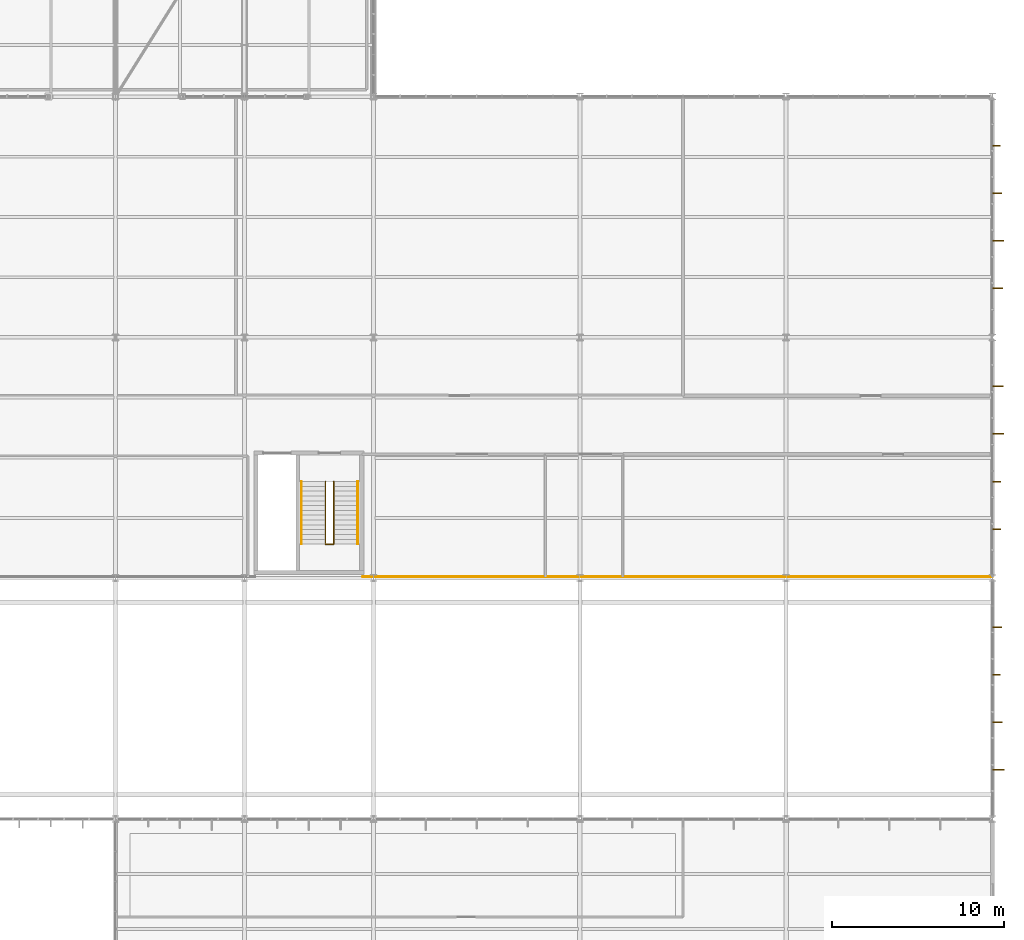
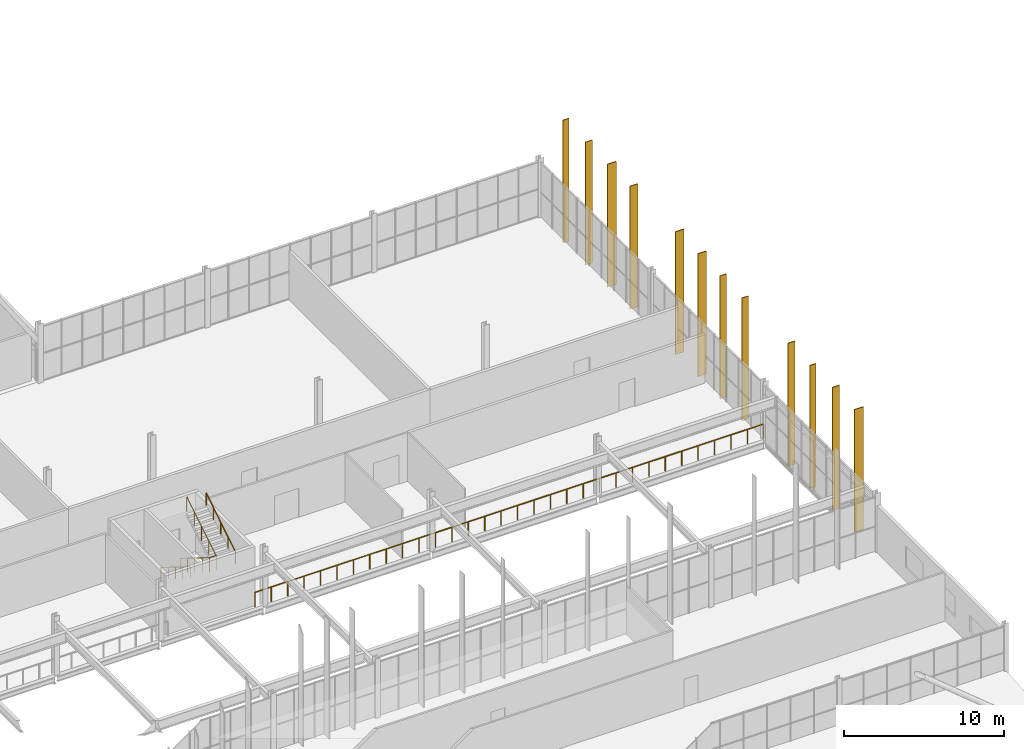
# One storey, part 323 of 324: 12 coverings, 4 railings.
"""IFC4 building model written with IfcOpenShell, lengths in metres."""

from ifc_helpers import new_model, si_unit, direction, frame, origin, origin_2d, place, context, subcontext, project, spatial, rectangle, circle, extrude, material, layer, layer_set, type_object, element, save


model = new_model("IFC4")

# Units and contexts
model_context = context("Model", 3, precision=1e-05, world=origin(), true_north=direction((0.0, 1.0)))
body_context = subcontext(model_context, "Body", "Model", "MODEL_VIEW")
ifc_project = project(units=[si_unit("LENGTHUNIT", "METRE"), si_unit("AREAUNIT", "SQUARE_METRE"), si_unit("VOLUMEUNIT", "CUBIC_METRE"), si_unit("PLANEANGLEUNIT", "RADIAN"), si_unit("MASSUNIT", "GRAM", prefix="KILO")], contexts=[model_context])

# Site, building, storey
site_placement = place(None, origin())
site = spatial("IfcSite", under=ifc_project, at=site_placement, CompositionType="ELEMENT")
building_placement = place(site_placement, origin())
building = spatial("IfcBuilding", under=site, at=building_placement, Name="Solvenia Promenade Tram Depot", CompositionType="ELEMENT")
storey_placement = place(building_placement, frame((0.0, 0.0, 4.5)))
storey = spatial("IfcBuildingStorey", under=building, at=storey_placement, Name="L01", CompositionType="ELEMENT", Elevation=4.5)

# Coverings
ifc_material = material(Name="Anodized aluminium AW-6063 T6", Category="aluminium")
ifc_layer = layer(ifc_material, 0.06005859375, Name="Anodized aluminium AW-6063 T6", Category="aluminium")
ifc_layer_set = layer_set([ifc_layer], Name="Anodized aluminium AW-6063 T6")
covering_type = type_object("IfcCoveringType", Name="Fin-Param-560", PredefinedType="CLADDING", material=ifc_layer_set)
covering_1_placement = place(storey_placement, frame((186.344970703125, 26.847900390625, -0.35009765625), z_axis=(0.0, 0.0, 1.0), x_axis=(0.0, 1.0, 0.0)))
element("IfcCovering", 1, at=covering_1_placement, inside=storey, type_object=covering_type, Name="Parametric Vertical Brise-Soleil Fin 209", PredefinedType="CLADDING", context=body_context, shape_type="SweptSolid", body=[
    extrude(rectangle(XDim=0.06005859375, YDim=0.639892578125, at=origin_2d()), origin(), (0.0, 0.0, 1.0), 9.35009765625),
])
covering_2_placement = place(storey_placement, frame((186.29150390625, 29.615966796875, -0.35009765625), z_axis=(0.0, 0.0, 1.0), x_axis=(0.0, 1.0, 0.0)))
element("IfcCovering", 2, at=covering_2_placement, inside=storey, type_object=covering_type, Name="Parametric Vertical Brise-Soleil Fin 210", PredefinedType="CLADDING", context=body_context, shape_type="SweptSolid", body=[
    extrude(rectangle(XDim=0.06005859375, YDim=0.532958984375, at=origin_2d()), origin(), (0.0, 0.0, 1.0), 9.35009765625),
])
covering_3_placement = place(storey_placement, frame((186.235595703125, 32.384033203125, -0.35009765625), z_axis=(0.0, 0.0, 1.0), x_axis=(0.0, 1.0, 0.0)))
element("IfcCovering", 3, at=covering_3_placement, inside=storey, type_object=covering_type, Name="Parametric Vertical Brise-Soleil Fin 211", PredefinedType="CLADDING", context=body_context, shape_type="SweptSolid", body=[
    extrude(rectangle(XDim=0.06005859375, YDim=0.4208984375, at=origin_2d()), origin(), (0.0, 0.0, 1.0), 9.35009765625),
])
covering_4_placement = place(storey_placement, frame((186.280517578125, 35.152099609375, -0.35009765625), z_axis=(0.0, 0.0, 1.0), x_axis=(0.0, 1.0, 0.0)))
element("IfcCovering", 4, at=covering_4_placement, inside=storey, type_object=covering_type, Name="Parametric Vertical Brise-Soleil Fin 212", PredefinedType="CLADDING", context=body_context, shape_type="SweptSolid", body=[
    extrude(rectangle(XDim=0.06005859375, YDim=0.510986328125, at=origin_2d()), origin(), (0.0, 0.0, 1.0), 9.35009765625),
])
covering_5_placement = place(storey_placement, frame((186.243896484375, 40.847900390625, -0.35009765625), z_axis=(0.0, 0.0, 1.0), x_axis=(0.0, 1.0, 0.0)))
element("IfcCovering", 5, at=covering_5_placement, inside=storey, type_object=covering_type, Name="Parametric Vertical Brise-Soleil Fin 213", PredefinedType="CLADDING", context=body_context, shape_type="SweptSolid", body=[
    extrude(rectangle(XDim=0.06005859375, YDim=0.43798828125, at=origin_2d()), origin(), (0.0, 0.0, 1.0), 9.35009765625),
])
covering_6_placement = place(storey_placement, frame((186.256591796875, 43.615966796875, -0.35009765625), z_axis=(0.0, 0.0, 1.0), x_axis=(0.0, 1.0, 0.0)))
element("IfcCovering", 6, at=covering_6_placement, inside=storey, type_object=covering_type, Name="Parametric Vertical Brise-Soleil Fin 214", PredefinedType="CLADDING", context=body_context, shape_type="SweptSolid", body=[
    extrude(rectangle(XDim=0.06005859375, YDim=0.462890625, at=origin_2d()), origin(), (0.0, 0.0, 1.0), 9.35009765625),
])
covering_7_placement = place(storey_placement, frame((186.3310546875, 46.384033203125, -0.35009765625), z_axis=(0.0, 0.0, 1.0), x_axis=(0.0, 1.0, 0.0)))
element("IfcCovering", 7, at=covering_7_placement, inside=storey, type_object=covering_type, Name="Parametric Vertical Brise-Soleil Fin 215", PredefinedType="CLADDING", context=body_context, shape_type="SweptSolid", body=[
    extrude(rectangle(XDim=0.06005859375, YDim=0.612060546875, at=origin_2d()), origin(), (0.0, 0.0, 1.0), 9.35009765625),
])
covering_8_placement = place(storey_placement, frame((186.32958984375, 49.152099609375, -0.35009765625), z_axis=(0.0, 0.0, 1.0), x_axis=(0.0, 1.0, 0.0)))
element("IfcCovering", 8, at=covering_8_placement, inside=storey, type_object=covering_type, Name="Parametric Vertical Brise-Soleil Fin 216", PredefinedType="CLADDING", context=body_context, shape_type="SweptSolid", body=[
    extrude(rectangle(XDim=0.06005859375, YDim=0.60888671875, at=origin_2d()), origin(), (0.0, 0.0, 1.0), 9.35009765625),
])
covering_9_placement = place(storey_placement, frame((186.31005859375, 54.847900390625, -0.35009765625), z_axis=(0.0, 0.0, 1.0), x_axis=(0.0, 1.0, 0.0)))
element("IfcCovering", 9, at=covering_9_placement, inside=storey, type_object=covering_type, Name="Parametric Vertical Brise-Soleil Fin 217", PredefinedType="CLADDING", context=body_context, shape_type="SweptSolid", body=[
    extrude(rectangle(XDim=0.06005859375, YDim=0.570068359375, at=origin_2d()), origin(), (0.0, 0.0, 1.0), 9.35009765625),
])
covering_10_placement = place(storey_placement, frame((186.342529296875, 57.615966796875, -0.35009765625), z_axis=(0.0, 0.0, 1.0), x_axis=(0.0, 1.0, 0.0)))
element("IfcCovering", 10, at=covering_10_placement, inside=storey, type_object=covering_type, Name="Parametric Vertical Brise-Soleil Fin 218", PredefinedType="CLADDING", context=body_context, shape_type="SweptSolid", body=[
    extrude(rectangle(XDim=0.06005859375, YDim=0.635009765625, at=origin_2d()), origin(), (0.0, 0.0, 1.0), 9.35009765625),
])
covering_11_placement = place(storey_placement, frame((186.277587890625, 60.384033203125, -0.35009765625), z_axis=(0.0, 0.0, 1.0), x_axis=(0.0, 1.0, 0.0)))
element("IfcCovering", 11, at=covering_11_placement, inside=storey, type_object=covering_type, Name="Parametric Vertical Brise-Soleil Fin 219", PredefinedType="CLADDING", context=body_context, shape_type="SweptSolid", body=[
    extrude(rectangle(XDim=0.06005859375, YDim=0.5048828125, at=origin_2d()), origin(), (0.0, 0.0, 1.0), 9.35009765625),
])
covering_12_placement = place(storey_placement, frame((186.235595703125, 63.152099609375, -0.35009765625), z_axis=(0.0, 0.0, 1.0), x_axis=(0.0, 1.0, 0.0)))
element("IfcCovering", 12, at=covering_12_placement, inside=storey, type_object=covering_type, Name="Parametric Vertical Brise-Soleil Fin 220", PredefinedType="CLADDING", context=body_context, shape_type="SweptSolid", body=[
    extrude(rectangle(XDim=0.06005859375, YDim=0.4208984375, at=origin_2d()), origin(), (0.0, 0.0, 1.0), 9.35009765625),
])

# Railings
railing_type_1 = type_object("IfcRailingType", Name="Guard-Stair-1100", PredefinedType="GUARDRAIL", material=ifc_material)
railing_1_placement = place(storey_placement, frame((147.2099609375, 43.6201171875, 0.0)))
element("IfcRailing", 13, at=railing_1_placement, inside=storey, type_object=railing_type_1, Name="Stair Inner Well Guard ST-06-L01", PredefinedType="GUARDRAIL", context=body_context, shape_type="SweptSolid", body=[
    extrude(circle(Radius=0.02392578125, at=origin_2d()), frame((0.0, 0.0, 1.09619140625), z_axis=(0.0, -0.850622404505, 0.525777067734), x_axis=(1.0, 0.0, 0.0)), (0.0, 0.0, 1.0), 4.279296875),
    extrude(circle(Radius=0.02392578125, at=origin_2d()), frame((0.0, -3.64013671875, 3.34619140625), z_axis=(1.0, 0.0, 0.0), x_axis=(0.0, 1.0, 0.0)), (0.0, 0.0, 1.0), 0.47998046875),
    extrude(circle(Radius=0.02392578125, at=origin_2d()), frame((0.47998046875, -3.64013671875, 3.34619140625), z_axis=(0.0, 0.850622404505, 0.525777067734), x_axis=(-1.0, 0.0, 0.0)), (0.0, 0.0, 1.0), 4.279296875),
    extrude(circle(Radius=0.02099609375, at=origin_2d()), origin(), (0.0, 0.0, 1.0), 1.072021484375),
    extrude(circle(Radius=0.02099609375, at=origin_2d()), frame((0.0, -0.91015625, 0.5625)), (0.0, 0.0, 1.0), 1.072021484375),
    extrude(circle(Radius=0.02099609375, at=origin_2d()), frame((0.0, -1.820068359375, 1.125)), (0.0, 0.0, 1.0), 1.072021484375),
    extrude(circle(Radius=0.02099609375, at=origin_2d()), frame((0.0, -2.72998046875, 1.6875)), (0.0, 0.0, 1.0), 1.072021484375),
    extrude(circle(Radius=0.02099609375, at=origin_2d()), frame((0.0, -3.64013671875, 2.25)), (0.0, 0.0, 1.0), 1.072021484375),
    extrude(circle(Radius=0.02099609375, at=origin_2d()), frame((0.47998046875, -3.64013671875, 2.25)), (0.0, 0.0, 1.0), 1.072021484375),
    extrude(circle(Radius=0.02099609375, at=origin_2d()), frame((0.47998046875, -2.72998046875, 2.8125)), (0.0, 0.0, 1.0), 1.072021484375),
    extrude(circle(Radius=0.02099609375, at=origin_2d()), frame((0.47998046875, -1.820068359375, 3.375)), (0.0, 0.0, 1.0), 1.072021484375),
    extrude(circle(Radius=0.02099609375, at=origin_2d()), frame((0.47998046875, -0.91015625, 3.9375)), (0.0, 0.0, 1.0), 1.072021484375),
    extrude(circle(Radius=0.02099609375, at=origin_2d()), frame((0.47998046875, 0.0, 4.5)), (0.0, 0.0, 1.0), 1.072021484375),
])
railing_2_placement = place(storey_placement, frame((149.3798828125, 38.080078125, 0.0)))
element("IfcRailing", 14, at=railing_2_placement, inside=storey, type_object=railing_type_1, Name="L01 Workshop Mezzanine Overlook Guard 3", PredefinedType="GUARDRAIL", context=body_context, shape_type="SweptSolid", body=[
    extrude(circle(Radius=0.02392578125, at=origin_2d()), frame((0.0, 0.0, 1.09619140625), z_axis=(1.0, 0.0, 0.0), x_axis=(0.0, 1.0, 0.0)), (0.0, 0.0, 1.0), 36.6201171875),
    extrude(circle(Radius=0.02099609375, at=origin_2d()), origin(), (0.0, 0.0, 1.0), 1.072021484375),
    extrude(circle(Radius=0.02099609375, at=origin_2d()), frame((1.181396484375, 0.0, 0.0)), (0.0, 0.0, 1.0), 1.072021484375),
    extrude(circle(Radius=0.02099609375, at=origin_2d()), frame((2.362548828125, 0.0, 0.0)), (0.0, 0.0, 1.0), 1.072021484375),
    extrude(circle(Radius=0.02099609375, at=origin_2d()), frame((3.5439453125, 0.0, 0.0)), (0.0, 0.0, 1.0), 1.072021484375),
    extrude(circle(Radius=0.02099609375, at=origin_2d()), frame((4.72509765625, 0.0, 0.0)), (0.0, 0.0, 1.0), 1.072021484375),
    extrude(circle(Radius=0.02099609375, at=origin_2d()), frame((5.906494140625, 0.0, 0.0)), (0.0, 0.0, 1.0), 1.072021484375),
    extrude(circle(Radius=0.02099609375, at=origin_2d()), frame((7.087646484375, 0.0, 0.0)), (0.0, 0.0, 1.0), 1.072021484375),
    extrude(circle(Radius=0.02099609375, at=origin_2d()), frame((8.26904296875, 0.0, 0.0)), (0.0, 0.0, 1.0), 1.072021484375),
    extrude(circle(Radius=0.02099609375, at=origin_2d()), frame((9.450439453125, 0.0, 0.0)), (0.0, 0.0, 1.0), 1.072021484375),
    extrude(circle(Radius=0.02099609375, at=origin_2d()), frame((10.631591796875, 0.0, 0.0)), (0.0, 0.0, 1.0), 1.072021484375),
    extrude(circle(Radius=0.02099609375, at=origin_2d()), frame((11.81298828125, 0.0, 0.0)), (0.0, 0.0, 1.0), 1.072021484375),
    extrude(circle(Radius=0.02099609375, at=origin_2d()), frame((12.994140625, 0.0, 0.0)), (0.0, 0.0, 1.0), 1.072021484375),
    extrude(circle(Radius=0.02099609375, at=origin_2d()), frame((14.175537109375, 0.0, 0.0)), (0.0, 0.0, 1.0), 1.072021484375),
    extrude(circle(Radius=0.02099609375, at=origin_2d()), frame((15.35693359375, 0.0, 0.0)), (0.0, 0.0, 1.0), 1.072021484375),
    extrude(circle(Radius=0.02099609375, at=origin_2d()), frame((16.5380859375, 0.0, 0.0)), (0.0, 0.0, 1.0), 1.072021484375),
    extrude(circle(Radius=0.02099609375, at=origin_2d()), frame((17.719482421875, 0.0, 0.0)), (0.0, 0.0, 1.0), 1.072021484375),
    extrude(circle(Radius=0.02099609375, at=origin_2d()), frame((18.900634765625, 0.0, 0.0)), (0.0, 0.0, 1.0), 1.072021484375),
    extrude(circle(Radius=0.02099609375, at=origin_2d()), frame((20.08203125, 0.0, 0.0)), (0.0, 0.0, 1.0), 1.072021484375),
    extrude(circle(Radius=0.02099609375, at=origin_2d()), frame((21.26318359375, 0.0, 0.0)), (0.0, 0.0, 1.0), 1.072021484375),
    extrude(circle(Radius=0.02099609375, at=origin_2d()), frame((22.444580078125, 0.0, 0.0)), (0.0, 0.0, 1.0), 1.072021484375),
    extrude(circle(Radius=0.02099609375, at=origin_2d()), frame((23.6259765625, 0.0, 0.0)), (0.0, 0.0, 1.0), 1.072021484375),
    extrude(circle(Radius=0.02099609375, at=origin_2d()), frame((24.80712890625, 0.0, 0.0)), (0.0, 0.0, 1.0), 1.072021484375),
    extrude(circle(Radius=0.02099609375, at=origin_2d()), frame((25.988525390625, 0.0, 0.0)), (0.0, 0.0, 1.0), 1.072021484375),
    extrude(circle(Radius=0.02099609375, at=origin_2d()), frame((27.169677734375, 0.0, 0.0)), (0.0, 0.0, 1.0), 1.072021484375),
    extrude(circle(Radius=0.02099609375, at=origin_2d()), frame((28.35107421875, 0.0, 0.0)), (0.0, 0.0, 1.0), 1.072021484375),
    extrude(circle(Radius=0.02099609375, at=origin_2d()), frame((29.532470703125, 0.0, 0.0)), (0.0, 0.0, 1.0), 1.072021484375),
    extrude(circle(Radius=0.02099609375, at=origin_2d()), frame((30.713623046875, 0.0, 0.0)), (0.0, 0.0, 1.0), 1.072021484375),
    extrude(circle(Radius=0.02099609375, at=origin_2d()), frame((31.89501953125, 0.0, 0.0)), (0.0, 0.0, 1.0), 1.072021484375),
    extrude(circle(Radius=0.02099609375, at=origin_2d()), frame((33.076171875, 0.0, 0.0)), (0.0, 0.0, 1.0), 1.072021484375),
    extrude(circle(Radius=0.02099609375, at=origin_2d()), frame((34.257568359375, 0.0, 0.0)), (0.0, 0.0, 1.0), 1.072021484375),
    extrude(circle(Radius=0.02099609375, at=origin_2d()), frame((35.438720703125, 0.0, 0.0)), (0.0, 0.0, 1.0), 1.072021484375),
    extrude(circle(Radius=0.02099609375, at=origin_2d()), frame((36.6201171875, 0.0, 0.0)), (0.0, 0.0, 1.0), 1.072021484375),
])
railing_type_2 = type_object("IfcRailingType", Name="Handrail-Stair-920", PredefinedType="HANDRAIL", material=ifc_material)
railing_3_placement = place(storey_placement, frame((145.820068359375, 43.6201171875, 0.0)))
element("IfcRailing", 15, at=railing_3_placement, inside=storey, type_object=railing_type_2, Name="Stair Wall Handrail ST-06-L01-F1", PredefinedType="HANDRAIL", context=body_context, shape_type="SweptSolid", body=[
    extrude(circle(Radius=0.02392578125, at=origin_2d()), frame((0.0, 0.0, 0.89599609375), z_axis=(0.0, -0.850622404505, 0.525777067734), x_axis=(1.0, 0.0, 0.0)), (0.0, 0.0, 1.0), 4.279296875),
    extrude(circle(Radius=0.02099609375, at=origin_2d()), origin(), (0.0, 0.0, 1.0), 0.871826171875),
    extrude(circle(Radius=0.02099609375, at=origin_2d()), frame((0.0, -0.91015625, 0.5625)), (0.0, 0.0, 1.0), 0.871826171875),
    extrude(circle(Radius=0.02099609375, at=origin_2d()), frame((0.0, -1.820068359375, 1.125)), (0.0, 0.0, 1.0), 0.871826171875),
    extrude(circle(Radius=0.02099609375, at=origin_2d()), frame((0.0, -2.72998046875, 1.6875)), (0.0, 0.0, 1.0), 0.871826171875),
    extrude(circle(Radius=0.02099609375, at=origin_2d()), frame((0.0, -3.64013671875, 2.25)), (0.0, 0.0, 1.0), 0.871826171875),
])
railing_4_placement = place(storey_placement, frame((149.080078125, 39.97998046875, 2.25)))
element("IfcRailing", 16, at=railing_4_placement, inside=storey, type_object=railing_type_2, Name="Stair Wall Handrail ST-06-L01-F2", PredefinedType="HANDRAIL", context=body_context, shape_type="SweptSolid", body=[
    extrude(circle(Radius=0.02392578125, at=origin_2d()), frame((0.0, 0.0, 0.89599609375), z_axis=(0.0, 0.850622404505, 0.525777067734), x_axis=(-1.0, 0.0, 0.0)), (0.0, 0.0, 1.0), 4.279296875),
    extrude(circle(Radius=0.02099609375, at=origin_2d()), origin(), (0.0, 0.0, 1.0), 0.871826171875),
    extrude(circle(Radius=0.02099609375, at=origin_2d()), frame((0.0, 0.91015625, 0.5625)), (0.0, 0.0, 1.0), 0.871826171875),
    extrude(circle(Radius=0.02099609375, at=origin_2d()), frame((0.0, 1.820068359375, 1.125)), (0.0, 0.0, 1.0), 0.871826171875),
    extrude(circle(Radius=0.02099609375, at=origin_2d()), frame((0.0, 2.72998046875, 1.6875)), (0.0, 0.0, 1.0), 0.871826171875),
    extrude(circle(Radius=0.02099609375, at=origin_2d()), frame((0.0, 3.64013671875, 2.25)), (0.0, 0.0, 1.0), 0.871826171875),
])

save(model, "model.ifc")
